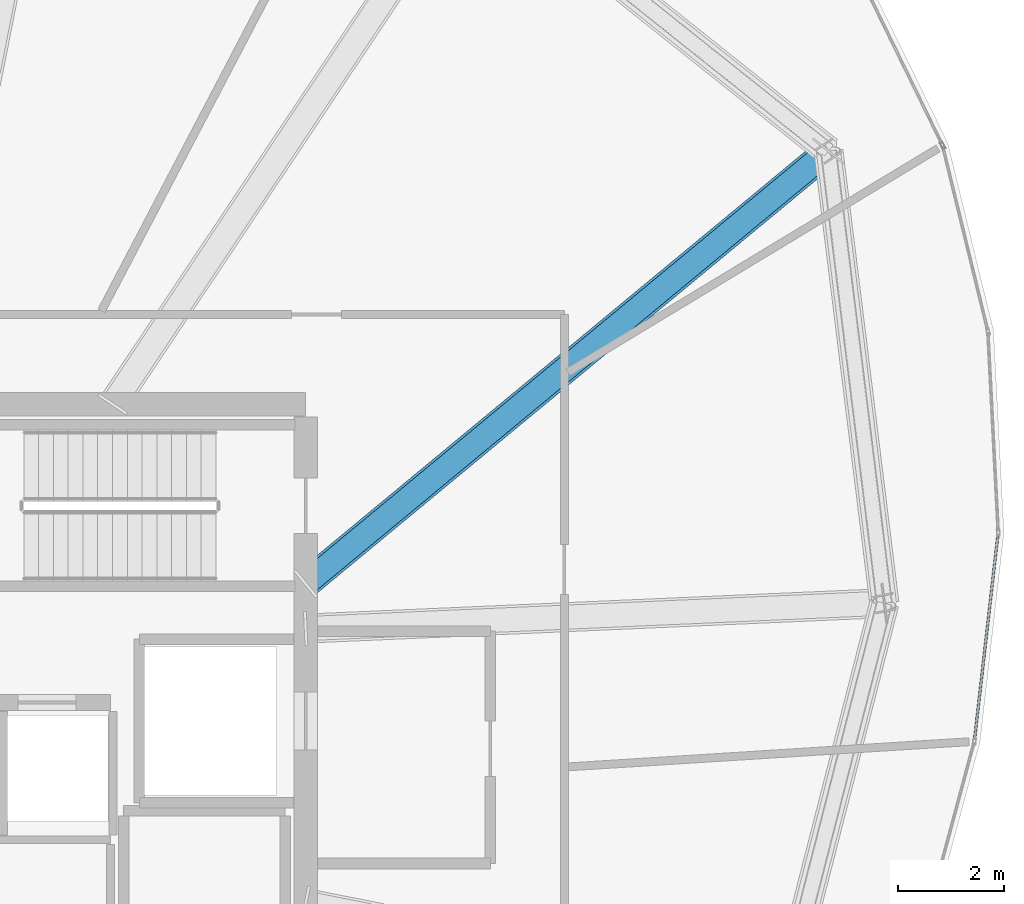
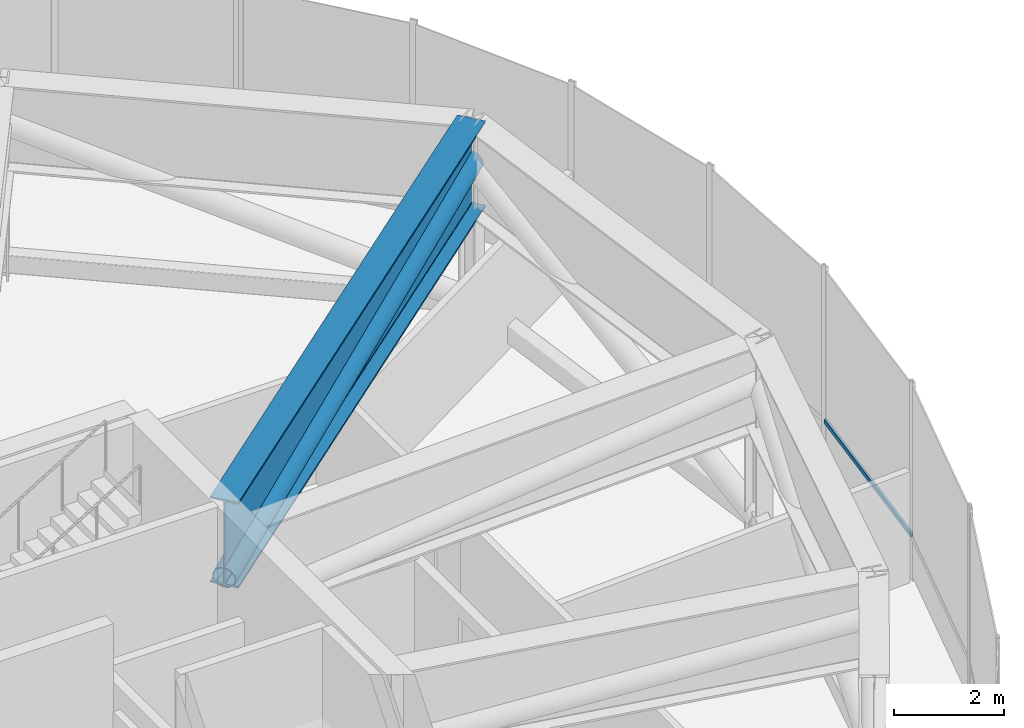
# One storey, part 13 of 26: 2 members, 1 beam, 1 element without a shape of its own.
"""IFC4 building model written with IfcOpenShell, lengths in metres."""

from ifc_helpers import new_model, si_unit, direction, frame, origin, origin_2d, place, context, subcontext, project, spatial, hollow_rectangle, hollow_circle, i_section, extrude, source, transform, mapped, material, layer, layer_set, material_profile, profile_set, type_object, element, aggregate, save


model = new_model("IFC4")

# Units and contexts
model_context = context("Model", 3, precision=1e-05, world=origin(), true_north=direction((0.0, 1.0)))
body_context = subcontext(model_context, "Body", "Model", "MODEL_VIEW")
ifc_project = project(units=[si_unit("LENGTHUNIT", "METRE"), si_unit("AREAUNIT", "SQUARE_METRE"), si_unit("VOLUMEUNIT", "CUBIC_METRE"), si_unit("PLANEANGLEUNIT", "RADIAN"), si_unit("MASSUNIT", "GRAM", prefix="KILO"), si_unit("THERMODYNAMICTEMPERATUREUNIT", "KELVIN")], contexts=[model_context])

# Site, building, storey
site_placement = place(None, origin())
site = spatial("IfcSite", under=ifc_project, at=site_placement, CompositionType="ELEMENT")
building_placement = place(site_placement, origin())
building = spatial("IfcBuilding", under=site, at=building_placement, Name="Kethvar Cultural Tower", CompositionType="ELEMENT")
storey_placement = place(building_placement, frame((0.0, 0.0, 223.60009765625)))
storey = spatial("IfcBuildingStorey", under=building, at=storey_placement, Name="L58", CompositionType="ELEMENT", Elevation=223.60009765625)

# Beam
ifc_material_1 = material(Name="Steel S460M", Category="steel")
ifc_material_profile_1 = material_profile(ifc_material_1, i_section(OverallWidth=0.550048828125, OverallDepth=1.89990234375, WebThickness=0.02490234375, FlangeThickness=0.0400390625, FilletRadius=0.02001953125, at=origin_2d()), Name="Steel S460M — PG1900x550x40x25")
ifc_profile_set_1 = profile_set([ifc_material_profile_1], Name="Steel S460M — PG1900x550x40x25")
beam_type = type_object("IfcBeamType", Name="BM-TR1900", PredefinedType="BEAM", material=ifc_profile_set_1)
shared_shape_1 = source(origin(), body_context, "Body", "SweptSolid", [
    extrude(i_section(OverallWidth=0.550048828125, OverallDepth=1.89990234375, WebThickness=0.02490234375, FlangeThickness=0.0400390625, FilletRadius=0.02001953125, at=origin_2d()), origin(), (0.0, 0.0, 1.0), 12.8564453125),
])
beam_placement = place(storey_placement, frame((55.60009765625, 32.10009765625, 3.427978515625), z_axis=(0.770354115625, 0.637616292561, 0.0), x_axis=(-0.637616292561, 0.770354115625, 0.0)))
element("IfcBeam", 1, at=beam_placement, inside=storey, type_object=beam_type, Name="L58 Outrigger Transfer Girder OG-02", PredefinedType="BEAM", context=body_context, shape_type="MappedRepresentation", body=[
    mapped(shared_shape_1, transform((0.0, 0.0, 0.0), scale=1.0)),
])

# Member
ifc_material_2 = material(Name="Steel S355J2", Category="steel")
ifc_material_profile_2 = material_profile(ifc_material_2, hollow_circle(Radius=0.228515625, WallThickness=0.01611328125, at=origin_2d()), Name="Steel S355J2 — CHS457x16")
ifc_profile_set_2 = profile_set([ifc_material_profile_2], Name="Steel S355J2 — CHS457x16")
member_type_1 = type_object("IfcMemberType", Name="MB-OUT-457", PredefinedType="BRACE", material=ifc_profile_set_2)
shared_shape_2 = source(origin(), body_context, "Body", "SweptSolid", [
    extrude(hollow_circle(Radius=0.228515625, WallThickness=0.01611328125, at=origin_2d()), origin(), (0.0, 0.0, 1.0), 12.880126953125),
])
member_1_placement = place(storey_placement, frame((55.60009765625, 32.10009765625, 2.64990234375), z_axis=(0.768947198374, 0.636451797762, 0.060409562482), x_axis=(-0.637616292561, 0.770354115625, 0.0)))
element("IfcMember", 2, at=member_1_placement, inside=storey, type_object=member_type_1, Name="L58 Outrigger Truss Diagonal OB-02", PredefinedType="BRACE", context=body_context, shape_type="MappedRepresentation", body=[
    mapped(shared_shape_2, transform((0.0, 0.0, 0.0), scale=1.0)),
])

# Curtain wall, member
ifc_material_3 = material(Name="Aluminium 6063-T6", Category="aluminium")
ifc_layer = layer(ifc_material_3, 0.179931640625, Name="Aluminium 6063-T6", Category="aluminium")
ifc_layer_set = layer_set([ifc_layer], Name="Aluminium 6063-T6 (180 mm)")
curtain_wall_type = type_object("IfcCurtainWallType", Name="CW-SYS-04-Z34", PredefinedType="NOTDEFINED", material=ifc_layer_set)
curtain_wall_placement = place(storey_placement, origin())
curtain_wall = element("IfcCurtainWall", 3, at=curtain_wall_placement, inside=storey, type_object=curtain_wall_type, Name="L58 Curtain Wall Run 06", PredefinedType="NOTDEFINED")
ifc_material_profile_3 = material_profile(ifc_material_3, hollow_rectangle(XDim=0.050048828125, YDim=0.10009765625, WallThickness=0.00390625, at=origin_2d()), Name="Aluminium 6063-T6 — RHS100x50x4")
ifc_profile_set_3 = profile_set([ifc_material_profile_3], Name="Aluminium 6063-T6 — RHS100x50x4")
member_type_2 = type_object("IfcMemberType", Name="CW-SYS-04-Z34-TRN", PredefinedType="USERDEFINED", material=ifc_profile_set_3)
shared_shape_3 = source(origin(), body_context, "Body", "SweptSolid", [
    extrude(hollow_rectangle(XDim=0.050048828125, YDim=0.10009765625, WallThickness=0.00390625, at=origin_2d()), origin(), (0.0, 0.0, 1.0), 3.909423828125),
])
member_2_placement = place(storey_placement, frame((68.273193359375, 29.156005859375, 0.949951171875), z_axis=(0.113344046292, 0.993555799727, 0.0), x_axis=(-0.993555799727, 0.113344046292, 0.0)))
member_2 = element("IfcMember", 4, at=member_2_placement, type_object=member_type_2, Name="CW-L58-R06 Transom 2", ObjectType="TRANSOM", PredefinedType="USERDEFINED", context=body_context, shape_type="MappedRepresentation", body=[
    mapped(shared_shape_3, transform((0.0, 0.0, 0.0), scale=1.0)),
])
aggregate(curtain_wall, [member_2])

save(model, "model.ifc")
